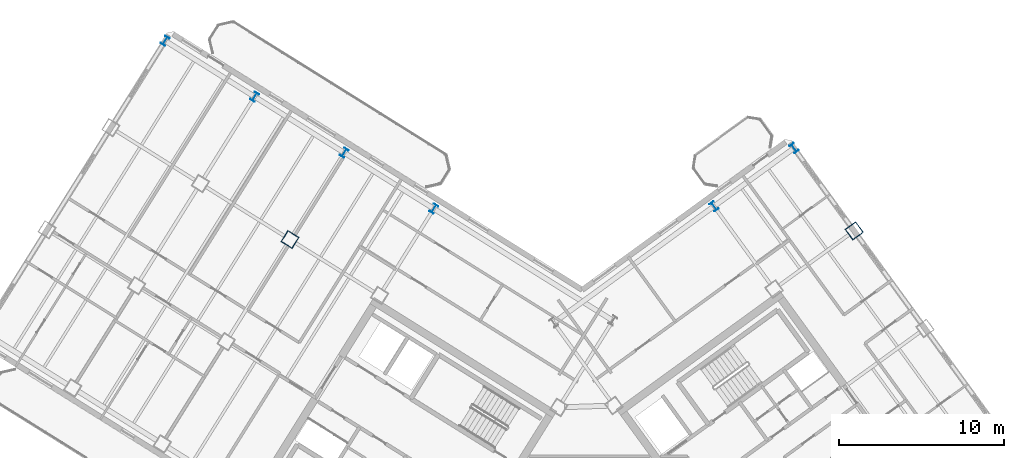
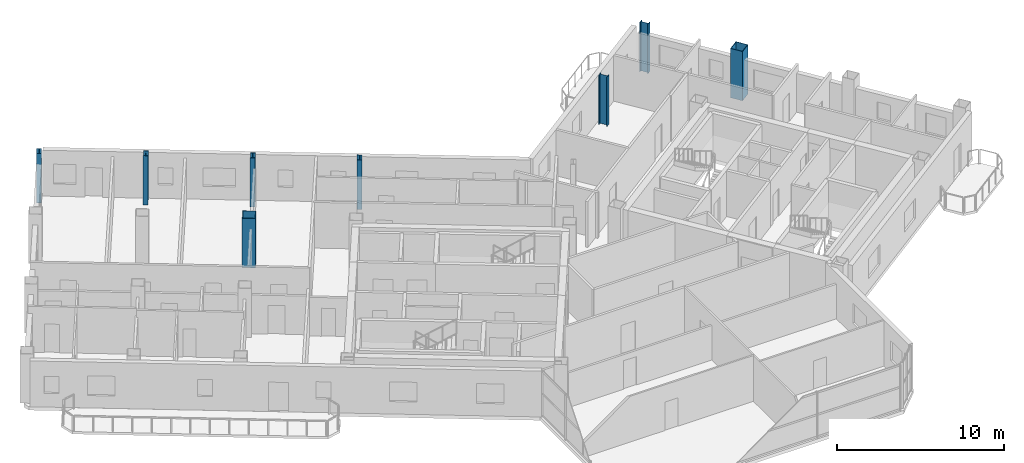
# One storey, part 3 of 20: 8 columns.
"""IFC4 building model written with IfcOpenShell, lengths in metres."""

import ifcopenshell
import ifcopenshell.guid

model = None  # the IFC model being written
_history = None  # IfcOwnerHistory: only IFC2X3 demands one
_inside = {}  # id of a spatial element -> (the spatial element, [elements in it])
_under = {}  # id of a project, library or spatial element -> (it, [spatial elements below it])
_declared = {}  # id of a project -> (the project, [libraries it declares])
_typed = {}  # id of a type object -> (the type object, [elements of that type])
_made_of = {}  # id of a material, layer set ... -> (it, [elements and type objects made of it])


def new_model(schema):
    """Start an empty IFC model of exactly this schema.

    Asked for "IFC4X3", IfcOpenShell would pick the latest addendum, in which some entities
    have other attributes; the version numbers below select the first issue.
    IFC2X3 requires an IfcOwnerHistory on every rooted entity: one is made here for all.
    """
    global model, _history
    if schema == "IFC4X3":
        model = ifcopenshell.file(schema_version=(4, 3, 0, 0))
    else:
        model = ifcopenshell.file(schema=schema)
    _inside.clear()
    _under.clear()
    _declared.clear()
    _typed.clear()
    _made_of.clear()
    _history = None
    if model.schema == "IFC2X3":
        org = make("IfcOrganization", Name="unknown")
        user = make(
            "IfcPersonAndOrganization",
            ThePerson=make("IfcPerson", FamilyName="unknown"),
            TheOrganization=org,
        )
        app = make(
            "IfcApplication",
            ApplicationDeveloper=org,
            Version="unknown",
            ApplicationFullName="unknown",
            ApplicationIdentifier="unknown",
        )
        _history = make(
            "IfcOwnerHistory",
            OwningUser=user,
            OwningApplication=app,
            ChangeAction="ADDED",
            CreationDate=0,
        )
    return model


def make(cls, **values):
    """One entity of the class cls with the attributes given. An attribute that is None is left unset."""
    return model.create_entity(
        cls, **{name: value for name, value in values.items() if value is not None}
    )


def rooted(cls, **values):
    """An entity with a GlobalId (a new one), such as an element, a storey or a relation."""
    return make(cls, GlobalId=ifcopenshell.guid.new(), OwnerHistory=_history, **values)


def si_unit(unit_type, name, prefix=None):
    """IfcSIUnit, for example si_unit("LENGTHUNIT", "METRE", prefix="MILLI")."""
    return make("IfcSIUnit", UnitType=unit_type, Prefix=prefix, Name=name)


def assignment(units):
    """IfcUnitAssignment: the units of a project."""
    return None if units is None else make("IfcUnitAssignment", Units=units)


def point(xyz):
    """IfcCartesianPoint."""
    return None if xyz is None else make("IfcCartesianPoint", Coordinates=xyz)


def direction(xyz):
    """IfcDirection."""
    return None if xyz is None else make("IfcDirection", DirectionRatios=xyz)


def frame(location, z_axis=None, x_axis=None):
    """IfcAxis2Placement3D, a coordinate frame: its origin and axes. An axis left out is left unset."""
    return make(
        "IfcAxis2Placement3D",
        Location=point(location),
        Axis=direction(z_axis),
        RefDirection=direction(x_axis),
    )


def frame_2d(location, x_axis=None):
    """IfcAxis2Placement2D, a coordinate frame in the plane: its origin and x axis."""
    return make(
        "IfcAxis2Placement2D", Location=point(location), RefDirection=direction(x_axis)
    )


def origin():
    """The frame at (0, 0, 0) with its axes left unset."""
    return frame((0.0, 0.0, 0.0))


def origin_2d():
    """The frame at (0, 0) in the plane with its x axis left unset."""
    return frame_2d((0.0, 0.0))


def place(relative_to, where):
    """IfcLocalPlacement: puts the frame where relative to a parent placement (None: the world)."""
    return make(
        "IfcLocalPlacement", PlacementRelTo=relative_to, RelativePlacement=where
    )


def context(
    kind, dimensions, precision=None, world=None, true_north=None, identifier=None
):
    """IfcGeometricRepresentationContext, for example the 3D "Model" context."""
    return make(
        "IfcGeometricRepresentationContext",
        ContextIdentifier=identifier,
        ContextType=kind,
        CoordinateSpaceDimension=dimensions,
        Precision=precision,
        WorldCoordinateSystem=world,
        TrueNorth=true_north,
    )


def subcontext(parent, identifier, kind, view, scale=None):
    """IfcGeometricRepresentationSubContext, for example "Body" below "Model"."""
    return make(
        "IfcGeometricRepresentationSubContext",
        ContextIdentifier=identifier,
        ContextType=kind,
        ParentContext=parent,
        TargetScale=scale,
        TargetView=view,
    )


def project(units=None, contexts=None):
    """IfcProject with its units and contexts."""
    return rooted(
        "IfcProject",
        Name="project",
        RepresentationContexts=contexts,
        UnitsInContext=assignment(units),
    )


def spatial(cls, under=None, at=None, **own):
    """A site, building, storey or space (cls), placed at a placement, below another one or the project."""
    s = rooted(cls, ObjectPlacement=at, **own)
    if under is not None:
        _under.setdefault(under.id(), (under, []))[1].append(s)
    return s


def profile(cls, at=None, kind="AREA", **sizes):
    """A parametric profile (cls). Its sizes go by their IFC names, for example OverallWidth=200.0."""
    return make(cls, ProfileType=kind, Position=at, **sizes)


def hollow_rectangle(**sizes):
    """IfcRectangleHollowProfileDef."""
    return profile("IfcRectangleHollowProfileDef", **sizes)


def i_section(**sizes):
    """IfcIShapeProfileDef."""
    return profile("IfcIShapeProfileDef", **sizes)


def extrude(swept, where, along, depth):
    """IfcExtrudedAreaSolid: the profile swept, set in the frame where, extruded along a direction by depth."""
    return make(
        "IfcExtrudedAreaSolid",
        SweptArea=swept,
        Position=where,
        ExtrudedDirection=direction(along),
        Depth=depth,
    )


def shape(context_of_items, identifier, shape_type, items):
    """IfcShapeRepresentation: the items that make up one representation, for example the "Body"."""
    return make(
        "IfcShapeRepresentation",
        ContextOfItems=context_of_items,
        RepresentationIdentifier=identifier,
        RepresentationType=shape_type,
        Items=items,
    )


def source(mapping_origin, context_of_items, identifier, shape_type, items):
    """IfcRepresentationMap: a shape defined once, which mapped items show again and again."""
    return make(
        "IfcRepresentationMap",
        MappingOrigin=mapping_origin,
        MappedRepresentation=shape(context_of_items, identifier, shape_type, items),
    )


def transform(
    local_origin,
    x_axis=None,
    y_axis=None,
    z_axis=None,
    scale=None,
    scale2=None,
    scale3=None,
    uniform=True,
):
    """IfcCartesianTransformationOperator3D, or its non-uniform kind. x_axis, y_axis, z_axis: its Axis1, 2, 3."""
    if uniform:
        return make(
            "IfcCartesianTransformationOperator3D",
            Axis1=direction(x_axis),
            Axis2=direction(y_axis),
            LocalOrigin=point(local_origin),
            Scale=scale,
            Axis3=direction(z_axis),
        )
    return make(
        "IfcCartesianTransformationOperator3DnonUniform",
        Axis1=direction(x_axis),
        Axis2=direction(y_axis),
        LocalOrigin=point(local_origin),
        Scale=scale,
        Axis3=direction(z_axis),
        Scale2=scale2,
        Scale3=scale3,
    )


def mapped(mapping_source, mapping_target):
    """IfcMappedItem: shows the shape of a source again, moved by a transform."""
    return make(
        "IfcMappedItem", MappingSource=mapping_source, MappingTarget=mapping_target
    )


def material(Name=None, Category=None):
    """IfcMaterial."""
    return make("IfcMaterial", Name=Name, Category=Category)


def material_profile(
    of_material, cross_section, Name=None, Category=None, Priority=None
):
    """IfcMaterialProfile: a cross section and its material."""
    return make(
        "IfcMaterialProfile",
        Name=Name,
        Material=of_material,
        Profile=cross_section,
        Priority=Priority,
        Category=Category,
    )


def profile_set(profiles, Name=None, composite=None):
    """IfcMaterialProfileSet."""
    return make(
        "IfcMaterialProfileSet",
        Name=Name,
        MaterialProfiles=profiles,
        CompositeProfile=composite,
    )


def made_of(thing, what):
    """Note that an element or type object is made of a material, layer set ...; save() writes the relation."""
    if what is not None:
        _made_of.setdefault(what.id(), (what, []))[1].append(thing)
    return thing


def type_object(cls, material=None, **own):
    """A type object (cls), such as IfcWallType, which elements share."""
    return made_of(rooted(cls, **own), material)


def element(
    cls,
    number,
    at=None,
    inside=None,
    cuts=None,
    type_object=None,
    material=None,
    context=None,
    identifier="Body",
    shape_type=None,
    held_by="IfcProductDefinitionShape",
    body=None,
    shapes=None,
    **own,
):
    """One element of the class cls, such as IfcWall. Its Tag is "e" and its number.

    at: its placement. inside: the storey or other place that contains it. cuts: it is an
    opening in that element (IfcRelVoidsElement). A single representation is given by context,
    identifier, shape_type and body (its items); several are given by shapes. held_by: the class
    of the entity that holds the representations. save() writes the other relations.
    """
    e = rooted(cls, Tag="e%d" % number, ObjectPlacement=at, **own)
    if body is not None:
        shapes = [shape(context, identifier, shape_type, body)]
    if shapes is not None:
        e.Representation = make(held_by, Representations=shapes)
    if inside is not None:
        _inside.setdefault(inside.id(), (inside, []))[1].append(e)
    if cuts is not None:
        rooted(
            "IfcRelVoidsElement", RelatingBuildingElement=cuts, RelatedOpeningElement=e
        )
    if type_object is not None:
        _typed.setdefault(type_object.id(), (type_object, []))[1].append(e)
    return made_of(e, material)


def aggregate(whole, parts):
    """IfcRelAggregates: a whole, such as a stair, and the parts it consists of."""
    return rooted("IfcRelAggregates", RelatingObject=whole, RelatedObjects=parts)


def save(model, path):
    """Write the relations noted so far, then the file.

    IfcRelAggregates (storeys below a building ...), IfcRelContainedInSpatialStructure (elements
    in a storey), IfcRelDefinesByType, IfcRelAssociatesMaterial and IfcRelDeclares: one each for
    every whole, place, type object, material and project.
    """
    for whole, parts in _under.values():
        aggregate(whole, parts)
    for where, things in _inside.values():
        rooted(
            "IfcRelContainedInSpatialStructure",
            RelatedElements=things,
            RelatingStructure=where,
        )
    for kind, things in _typed.values():
        rooted("IfcRelDefinesByType", RelatedObjects=things, RelatingType=kind)
    for what, things in _made_of.values():
        rooted("IfcRelAssociatesMaterial", RelatedObjects=things, RelatingMaterial=what)
    for by, libraries in _declared.values():
        rooted("IfcRelDeclares", RelatingContext=by, RelatedDefinitions=libraries)
    model.write(path)


model = new_model("IFC4")

# Units and contexts
model_context = context("Model", 3, precision=1e-05, world=origin(), true_north=direction((0.0, 1.0)))
body_context = subcontext(model_context, "Body", "Model", "MODEL_VIEW")
ifc_project = project(units=[si_unit("LENGTHUNIT", "METRE"), si_unit("AREAUNIT", "SQUARE_METRE"), si_unit("VOLUMEUNIT", "CUBIC_METRE"), si_unit("PLANEANGLEUNIT", "RADIAN"), si_unit("MASSUNIT", "GRAM", prefix="KILO")], contexts=[model_context])

# Site, building, storey
site_placement = place(None, origin())
site = spatial("IfcSite", under=ifc_project, at=site_placement, CompositionType="ELEMENT")
building_placement = place(site_placement, origin())
building = spatial("IfcBuilding", under=site, at=building_placement, Name="Tlacorven Tower", CompositionType="ELEMENT")
storey_placement = place(building_placement, frame((0.0, 0.0, 211.199951171875)))
storey = spatial("IfcBuildingStorey", under=building, at=storey_placement, Name="L53", CompositionType="ELEMENT", Elevation=211.199951171875)

# Columns
ifc_material = material(Name="Steel S460M", Category="steel")
ifc_material_profile_1 = material_profile(ifc_material, i_section(OverallWidth=0.300048828125, OverallDepth=0.550048828125, WebThickness=0.014892578125, FlangeThickness=0.029052734375, at=origin_2d()), Name="HEB 550")
ifc_profile_set_1 = profile_set([ifc_material_profile_1], Name="Steel S460M")
column_type_1 = type_object("IfcColumnType", Name="COL-TWR-P2", PredefinedType="COLUMN", material=ifc_profile_set_1)
shared_shape_1 = source(origin(), body_context, "Body", "SweptSolid", [
    extrude(i_section(OverallWidth=0.300048828125, OverallDepth=0.550048828125, WebThickness=0.014892578125, FlangeThickness=0.029052734375, at=origin_2d()), origin(), (0.0, 0.0, 1.0), 3.60009765625),
])
for number, where, z_axis, x_axis, name in (
    (1, (33.21337890625, 36.50927734375, 0.0), (0.0, 0.0, 1.0), (-0.848048096156, 0.529919264233, 0.0), "L53 column COL-L53-W3-1"),
    (2, (27.785888671875, 39.900634765625, 0.0), (0.0, 0.0, 1.0), (-0.848048096156, 0.529919264233, 0.0), "L53 column COL-L53-W4-1"),
    (3, (22.3583984375, 43.292236328125, 0.0), (0.0, 0.0, 1.0), (-0.848048096156, 0.529919264233, 0.0), "L53 column COL-L53-W5-1"),
    (4, (16.930908203125, 46.68359375, 0.0), (0.0, 0.0, 1.0), (-0.848048096156, 0.529919264233, 0.0), "L53 column COL-L53-W6-1"),
    (5, (50.187744140625, 36.654296875, 0.0), (0.0, 0.0, 1.0), (0.809016994375, 0.587785252292, 0.0), "L53 column COL-L53-E3-4"),
    (6, (55.041748046875, 40.18115234375, 0.0), (0.0, 0.0, 1.0), (0.809016994375, 0.587785252292, 0.0), "L53 column COL-L53-E4-4"),
):
    element("IfcColumn", number, at=place(storey_placement, frame(where, z_axis=z_axis, x_axis=x_axis)), inside=storey, type_object=column_type_1, Name=name, PredefinedType="COLUMN", context=body_context, shape_type="MappedRepresentation", body=[
        mapped(shared_shape_1, transform((0.0, 0.0, 0.0), scale=1.0)),
    ])
ifc_material_profile_2 = material_profile(ifc_material, hollow_rectangle(XDim=0.800048828125, YDim=0.800048828125, WallThickness=0.031982421875, at=origin_2d()), Name="BOX 800X800X32")
ifc_profile_set_2 = profile_set([ifc_material_profile_2], Name="Steel S460M")
column_type_2 = type_object("IfcColumnType", Name="COL-TWR-S3", PredefinedType="COLUMN", material=ifc_profile_set_2)
shared_shape_2 = source(origin(), body_context, "Body", "SweptSolid", [
    extrude(hollow_rectangle(XDim=0.800048828125, YDim=0.800048828125, WallThickness=0.031982421875, at=origin_2d()), origin(), (0.0, 0.0, 1.0), 3.60009765625),
])
for number, where, z_axis, x_axis, name in (
    (7, (24.50048828125, 34.642822265625, 0.0), (0.0, 0.0, 1.0), (-0.848048096156, 0.529919264233, 0.0), "L53 column COL-L53-W4-2"),
    (8, (58.68603515625, 35.165283203125, 0.0), (0.0, 0.0, 1.0), (0.809016994375, 0.587785252292, 0.0), "L53 column COL-L53-E4-3"),
):
    element("IfcColumn", number, at=place(storey_placement, frame(where, z_axis=z_axis, x_axis=x_axis)), inside=storey, type_object=column_type_2, Name=name, PredefinedType="COLUMN", context=body_context, shape_type="MappedRepresentation", body=[
        mapped(shared_shape_2, transform((0.0, 0.0, 0.0), scale=1.0)),
    ])

save(model, "model.ifc")
